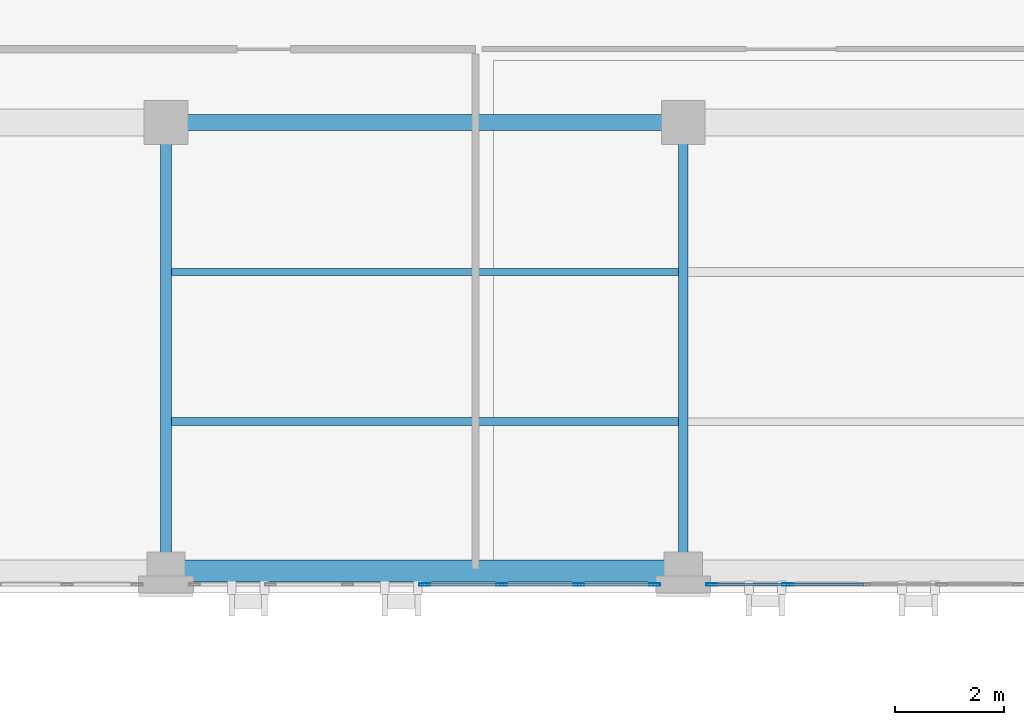
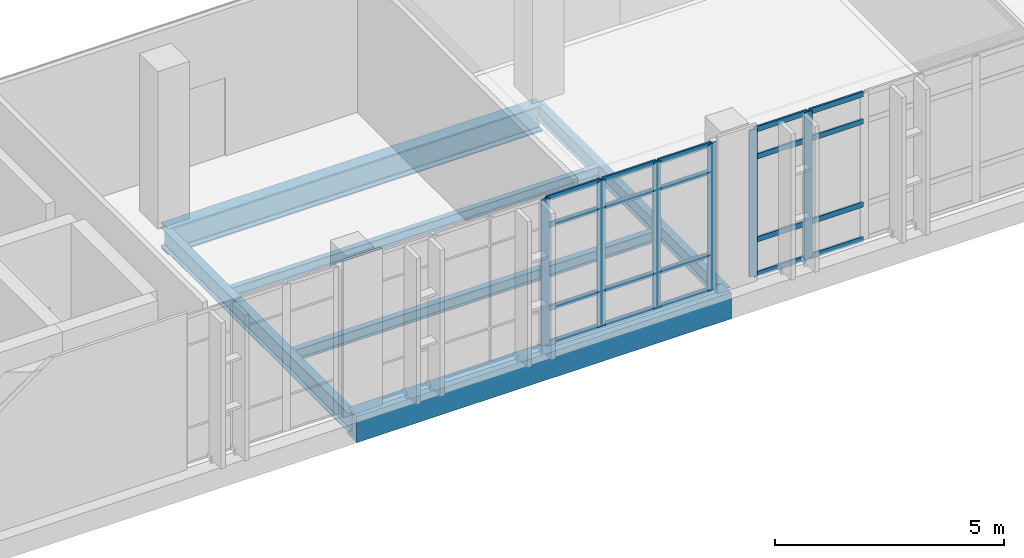
# One storey, part 12 of 193: 26 members, 6 beams, 2 elements without a shape of their own.
"""IFC4 building model written with IfcOpenShell, lengths in metres."""

import ifcopenshell
import ifcopenshell.guid

model = None  # the IFC model being written
_history = None  # IfcOwnerHistory: only IFC2X3 demands one
_inside = {}  # id of a spatial element -> (the spatial element, [elements in it])
_under = {}  # id of a project, library or spatial element -> (it, [spatial elements below it])
_declared = {}  # id of a project -> (the project, [libraries it declares])
_typed = {}  # id of a type object -> (the type object, [elements of that type])
_made_of = {}  # id of a material, layer set ... -> (it, [elements and type objects made of it])


def new_model(schema):
    """Start an empty IFC model of exactly this schema.

    Asked for "IFC4X3", IfcOpenShell would pick the latest addendum, in which some entities
    have other attributes; the version numbers below select the first issue.
    IFC2X3 requires an IfcOwnerHistory on every rooted entity: one is made here for all.
    """
    global model, _history
    if schema == "IFC4X3":
        model = ifcopenshell.file(schema_version=(4, 3, 0, 0))
    else:
        model = ifcopenshell.file(schema=schema)
    _inside.clear()
    _under.clear()
    _declared.clear()
    _typed.clear()
    _made_of.clear()
    _history = None
    if model.schema == "IFC2X3":
        org = make("IfcOrganization", Name="unknown")
        user = make(
            "IfcPersonAndOrganization",
            ThePerson=make("IfcPerson", FamilyName="unknown"),
            TheOrganization=org,
        )
        app = make(
            "IfcApplication",
            ApplicationDeveloper=org,
            Version="unknown",
            ApplicationFullName="unknown",
            ApplicationIdentifier="unknown",
        )
        _history = make(
            "IfcOwnerHistory",
            OwningUser=user,
            OwningApplication=app,
            ChangeAction="ADDED",
            CreationDate=0,
        )
    return model


def make(cls, **values):
    """One entity of the class cls with the attributes given. An attribute that is None is left unset."""
    return model.create_entity(
        cls, **{name: value for name, value in values.items() if value is not None}
    )


def rooted(cls, **values):
    """An entity with a GlobalId (a new one), such as an element, a storey or a relation."""
    return make(cls, GlobalId=ifcopenshell.guid.new(), OwnerHistory=_history, **values)


def si_unit(unit_type, name, prefix=None):
    """IfcSIUnit, for example si_unit("LENGTHUNIT", "METRE", prefix="MILLI")."""
    return make("IfcSIUnit", UnitType=unit_type, Prefix=prefix, Name=name)


def assignment(units):
    """IfcUnitAssignment: the units of a project."""
    return None if units is None else make("IfcUnitAssignment", Units=units)


def point(xyz):
    """IfcCartesianPoint."""
    return None if xyz is None else make("IfcCartesianPoint", Coordinates=xyz)


def direction(xyz):
    """IfcDirection."""
    return None if xyz is None else make("IfcDirection", DirectionRatios=xyz)


def frame(location, z_axis=None, x_axis=None):
    """IfcAxis2Placement3D, a coordinate frame: its origin and axes. An axis left out is left unset."""
    return make(
        "IfcAxis2Placement3D",
        Location=point(location),
        Axis=direction(z_axis),
        RefDirection=direction(x_axis),
    )


def frame_2d(location, x_axis=None):
    """IfcAxis2Placement2D, a coordinate frame in the plane: its origin and x axis."""
    return make(
        "IfcAxis2Placement2D", Location=point(location), RefDirection=direction(x_axis)
    )


def origin():
    """The frame at (0, 0, 0) with its axes left unset."""
    return frame((0.0, 0.0, 0.0))


def origin_2d():
    """The frame at (0, 0) in the plane with its x axis left unset."""
    return frame_2d((0.0, 0.0))


def place(relative_to, where):
    """IfcLocalPlacement: puts the frame where relative to a parent placement (None: the world)."""
    return make(
        "IfcLocalPlacement", PlacementRelTo=relative_to, RelativePlacement=where
    )


def context(
    kind, dimensions, precision=None, world=None, true_north=None, identifier=None
):
    """IfcGeometricRepresentationContext, for example the 3D "Model" context."""
    return make(
        "IfcGeometricRepresentationContext",
        ContextIdentifier=identifier,
        ContextType=kind,
        CoordinateSpaceDimension=dimensions,
        Precision=precision,
        WorldCoordinateSystem=world,
        TrueNorth=true_north,
    )


def subcontext(parent, identifier, kind, view, scale=None):
    """IfcGeometricRepresentationSubContext, for example "Body" below "Model"."""
    return make(
        "IfcGeometricRepresentationSubContext",
        ContextIdentifier=identifier,
        ContextType=kind,
        ParentContext=parent,
        TargetScale=scale,
        TargetView=view,
    )


def project(units=None, contexts=None):
    """IfcProject with its units and contexts."""
    return rooted(
        "IfcProject",
        Name="project",
        RepresentationContexts=contexts,
        UnitsInContext=assignment(units),
    )


def spatial(cls, under=None, at=None, **own):
    """A site, building, storey or space (cls), placed at a placement, below another one or the project."""
    s = rooted(cls, ObjectPlacement=at, **own)
    if under is not None:
        _under.setdefault(under.id(), (under, []))[1].append(s)
    return s


def profile(cls, at=None, kind="AREA", **sizes):
    """A parametric profile (cls). Its sizes go by their IFC names, for example OverallWidth=200.0."""
    return make(cls, ProfileType=kind, Position=at, **sizes)


def rectangle(**sizes):
    """IfcRectangleProfileDef."""
    return profile("IfcRectangleProfileDef", **sizes)


def hollow_rectangle(**sizes):
    """IfcRectangleHollowProfileDef."""
    return profile("IfcRectangleHollowProfileDef", **sizes)


def i_section(**sizes):
    """IfcIShapeProfileDef."""
    return profile("IfcIShapeProfileDef", **sizes)


def extrude(swept, where, along, depth):
    """IfcExtrudedAreaSolid: the profile swept, set in the frame where, extruded along a direction by depth."""
    return make(
        "IfcExtrudedAreaSolid",
        SweptArea=swept,
        Position=where,
        ExtrudedDirection=direction(along),
        Depth=depth,
    )


def shape(context_of_items, identifier, shape_type, items):
    """IfcShapeRepresentation: the items that make up one representation, for example the "Body"."""
    return make(
        "IfcShapeRepresentation",
        ContextOfItems=context_of_items,
        RepresentationIdentifier=identifier,
        RepresentationType=shape_type,
        Items=items,
    )


def material(Name=None, Category=None):
    """IfcMaterial."""
    return make("IfcMaterial", Name=Name, Category=Category)


def layer(
    of_material, thickness, ventilated=None, Name=None, Category=None, Priority=None
):
    """IfcMaterialLayer: one layer of a wall or slab, of a material (None: an air gap)."""
    return make(
        "IfcMaterialLayer",
        Material=of_material,
        LayerThickness=thickness,
        IsVentilated=ventilated,
        Name=Name,
        Category=Category,
        Priority=Priority,
    )


def layer_set(layers, Name=None):
    """IfcMaterialLayerSet."""
    return make("IfcMaterialLayerSet", MaterialLayers=layers, LayerSetName=Name)


def material_profile(
    of_material, cross_section, Name=None, Category=None, Priority=None
):
    """IfcMaterialProfile: a cross section and its material."""
    return make(
        "IfcMaterialProfile",
        Name=Name,
        Material=of_material,
        Profile=cross_section,
        Priority=Priority,
        Category=Category,
    )


def profile_set(profiles, Name=None, composite=None):
    """IfcMaterialProfileSet."""
    return make(
        "IfcMaterialProfileSet",
        Name=Name,
        MaterialProfiles=profiles,
        CompositeProfile=composite,
    )


def made_of(thing, what):
    """Note that an element or type object is made of a material, layer set ...; save() writes the relation."""
    if what is not None:
        _made_of.setdefault(what.id(), (what, []))[1].append(thing)
    return thing


def type_object(cls, material=None, **own):
    """A type object (cls), such as IfcWallType, which elements share."""
    return made_of(rooted(cls, **own), material)


def element(
    cls,
    number,
    at=None,
    inside=None,
    cuts=None,
    type_object=None,
    material=None,
    context=None,
    identifier="Body",
    shape_type=None,
    held_by="IfcProductDefinitionShape",
    body=None,
    shapes=None,
    **own,
):
    """One element of the class cls, such as IfcWall. Its Tag is "e" and its number.

    at: its placement. inside: the storey or other place that contains it. cuts: it is an
    opening in that element (IfcRelVoidsElement). A single representation is given by context,
    identifier, shape_type and body (its items); several are given by shapes. held_by: the class
    of the entity that holds the representations. save() writes the other relations.
    """
    e = rooted(cls, Tag="e%d" % number, ObjectPlacement=at, **own)
    if body is not None:
        shapes = [shape(context, identifier, shape_type, body)]
    if shapes is not None:
        e.Representation = make(held_by, Representations=shapes)
    if inside is not None:
        _inside.setdefault(inside.id(), (inside, []))[1].append(e)
    if cuts is not None:
        rooted(
            "IfcRelVoidsElement", RelatingBuildingElement=cuts, RelatedOpeningElement=e
        )
    if type_object is not None:
        _typed.setdefault(type_object.id(), (type_object, []))[1].append(e)
    return made_of(e, material)


def aggregate(whole, parts):
    """IfcRelAggregates: a whole, such as a stair, and the parts it consists of."""
    return rooted("IfcRelAggregates", RelatingObject=whole, RelatedObjects=parts)


def save(model, path):
    """Write the relations noted so far, then the file.

    IfcRelAggregates (storeys below a building ...), IfcRelContainedInSpatialStructure (elements
    in a storey), IfcRelDefinesByType, IfcRelAssociatesMaterial and IfcRelDeclares: one each for
    every whole, place, type object, material and project.
    """
    for whole, parts in _under.values():
        aggregate(whole, parts)
    for where, things in _inside.values():
        rooted(
            "IfcRelContainedInSpatialStructure",
            RelatedElements=things,
            RelatingStructure=where,
        )
    for kind, things in _typed.values():
        rooted("IfcRelDefinesByType", RelatedObjects=things, RelatingType=kind)
    for what, things in _made_of.values():
        rooted("IfcRelAssociatesMaterial", RelatedObjects=things, RelatingMaterial=what)
    for by, libraries in _declared.values():
        rooted("IfcRelDeclares", RelatingContext=by, RelatedDefinitions=libraries)
    model.write(path)


model = new_model("IFC4")

# Units and contexts
model_context = context("Model", 3, precision=1e-05, world=origin(), true_north=direction((0.0, 1.0)))
body_context = subcontext(model_context, "Body", "Model", "MODEL_VIEW")
ifc_project = project(units=[si_unit("LENGTHUNIT", "METRE"), si_unit("AREAUNIT", "SQUARE_METRE"), si_unit("VOLUMEUNIT", "CUBIC_METRE"), si_unit("PLANEANGLEUNIT", "RADIAN"), si_unit("MASSUNIT", "GRAM", prefix="KILO")], contexts=[model_context])

# Site, building, storey
site_placement = place(None, origin())
site = spatial("IfcSite", under=ifc_project, at=site_placement, CompositionType="ELEMENT")
building_placement = place(site_placement, origin())
building = spatial("IfcBuilding", under=site, at=building_placement, Name="Qalavern Law Courts", CompositionType="ELEMENT")
storey_placement = place(building_placement, frame((0.0, 0.0, 10.199951171875)))
storey = spatial("IfcBuildingStorey", under=building, at=storey_placement, Name="L02", CompositionType="ELEMENT", Elevation=10.199951171875)

# Curtain wall, members
ifc_material_1 = material(Name="Anodised aluminium and insulated glazing", Category="aluminium")
ifc_layer = layer(ifc_material_1, 0.18505859375)
ifc_layer_set = layer_set([ifc_layer], Name="Anodised aluminium and insulated glazing")
curtain_wall_type = type_object("IfcCurtainWallType", Name="ENV-CW-HALL", PredefinedType="USERDEFINED", material=ifc_layer_set)
curtain_wall_1_placement = place(storey_placement, origin())
curtain_wall_1 = element("IfcCurtainWall", 1, at=curtain_wall_1_placement, inside=storey, type_object=curtain_wall_type, Name="V2 unitised curtain wall L02 south 2", ObjectType="UNITISED CURTAIN WALL", PredefinedType="USERDEFINED")
ifc_material_2 = material(Name="Anodised aluminium", Category="aluminium")
ifc_material_profile_1 = material_profile(ifc_material_2, hollow_rectangle(XDim=0.048095703125, YDim=0.199951171875, WallThickness=0.00439453125, at=origin_2d()), Name="ALU MULLION 48x200")
ifc_profile_set_1 = profile_set([ifc_material_profile_1], Name="Anodised aluminium")
member_type_1 = type_object("IfcMemberType", Name="ENV-CWM-48x200", PredefinedType="MULLION", material=ifc_profile_set_1)
member_1_placement = place(storey_placement, frame((58.255859375, 5.35498046875, 0.0), z_axis=(0.0, 0.0, 1.0), x_axis=(0.0, 1.0, 0.0)))
member_1 = element("IfcMember", 2, at=member_1_placement, type_object=member_type_1, Name="CW-02 mullion 4", PredefinedType="MULLION", context=body_context, shape_type="SweptSolid", body=[
    extrude(hollow_rectangle(XDim=0.048095703125, YDim=0.199951171875, WallThickness=0.00439453125, at=origin_2d()), origin(), (0.0, 0.0, 1.0), 3.9150390625),
])
member_2_placement = place(storey_placement, frame((59.664794921875, 5.35498046875, 0.0), z_axis=(0.0, 0.0, 1.0), x_axis=(0.0, 1.0, 0.0)))
member_2 = element("IfcMember", 3, at=member_2_placement, type_object=member_type_1, Name="CW-02 mullion 5", PredefinedType="MULLION", context=body_context, shape_type="SweptSolid", body=[
    extrude(hollow_rectangle(XDim=0.048095703125, YDim=0.199951171875, WallThickness=0.00439453125, at=origin_2d()), origin(), (0.0, 0.0, 1.0), 3.9150390625),
])
member_3_placement = place(storey_placement, frame((61.07373046875, 5.35498046875, 0.0), z_axis=(0.0, 0.0, 1.0), x_axis=(0.0, 1.0, 0.0)))
member_3 = element("IfcMember", 4, at=member_3_placement, type_object=member_type_1, Name="CW-02 mullion 6", PredefinedType="MULLION", context=body_context, shape_type="SweptSolid", body=[
    extrude(hollow_rectangle(XDim=0.048095703125, YDim=0.199951171875, WallThickness=0.00439453125, at=origin_2d()), origin(), (0.0, 0.0, 1.0), 3.9150390625),
])
member_4_placement = place(storey_placement, frame((62.458984375, 5.35498046875, 0.0), z_axis=(0.0, 0.0, 1.0), x_axis=(0.0, 1.0, 0.0)))
member_4 = element("IfcMember", 5, at=member_4_placement, type_object=member_type_1, Name="CW-02 mullion 7", PredefinedType="MULLION", context=body_context, shape_type="SweptSolid", body=[
    extrude(hollow_rectangle(XDim=0.048095703125, YDim=0.199951171875, WallThickness=0.00439453125, at=origin_2d()), origin(), (0.0, 0.0, 1.0), 3.9150390625),
])

curtain_wall_2_placement = place(storey_placement, origin())
curtain_wall_2 = element("IfcCurtainWall", 6, at=curtain_wall_2_placement, inside=storey, type_object=curtain_wall_type, Name="V2 unitised curtain wall L02 south 3", ObjectType="UNITISED CURTAIN WALL", PredefinedType="USERDEFINED")
member_5_placement = place(storey_placement, frame((63.5068359375, 5.35498046875, 0.0), z_axis=(0.0, 0.0, 1.0), x_axis=(0.0, 1.0, 0.0)))
member_5 = element("IfcMember", 7, at=member_5_placement, type_object=member_type_1, Name="CW-02 mullion 1", PredefinedType="MULLION", context=body_context, shape_type="SweptSolid", body=[
    extrude(hollow_rectangle(XDim=0.048095703125, YDim=0.199951171875, WallThickness=0.00439453125, at=origin_2d()), origin(), (0.0, 0.0, 1.0), 3.9150390625),
])
member_6_placement = place(storey_placement, frame((64.891845703125, 5.35498046875, 0.0), z_axis=(0.0, 0.0, 1.0), x_axis=(0.0, 1.0, 0.0)))
member_6 = element("IfcMember", 8, at=member_6_placement, type_object=member_type_1, Name="CW-02 mullion 2", PredefinedType="MULLION", context=body_context, shape_type="SweptSolid", body=[
    extrude(hollow_rectangle(XDim=0.048095703125, YDim=0.199951171875, WallThickness=0.00439453125, at=origin_2d()), origin(), (0.0, 0.0, 1.0), 3.9150390625),
])

# Member
ifc_material_profile_2 = material_profile(ifc_material_2, hollow_rectangle(XDim=0.048095703125, YDim=0.139892578125, WallThickness=0.00390625, at=origin_2d()), Name="ALU TRANSOM 48x140")
ifc_profile_set_2 = profile_set([ifc_material_profile_2], Name="Anodised aluminium")
member_type_2 = type_object("IfcMemberType", Name="ENV-CWT-48x140", PredefinedType="USERDEFINED", material=ifc_profile_set_2)
member_7_placement = place(storey_placement, frame((58.27978515625, 5.35498046875, 0.024169921875), z_axis=(1.0, 0.0, 0.0), x_axis=(0.0, 1.0, 0.0)))
member_7 = element("IfcMember", 9, at=member_7_placement, type_object=member_type_2, Name="CW-02 transom 4.1", ObjectType="TRANSOM", PredefinedType="USERDEFINED", context=body_context, shape_type="SweptSolid", body=[
    extrude(hollow_rectangle(XDim=0.048095703125, YDim=0.139892578125, WallThickness=0.00390625, at=origin_2d()), origin(), (0.0, 0.0, 1.0), 1.361083984375),
])

member_8_placement = place(storey_placement, frame((58.27978515625, 5.35498046875, 0.949951171875), z_axis=(1.0, 0.0, 0.0), x_axis=(0.0, 1.0, 0.0)))
member_8 = element("IfcMember", 10, at=member_8_placement, type_object=member_type_2, Name="CW-02 transom 4.2", ObjectType="TRANSOM", PredefinedType="USERDEFINED", context=body_context, shape_type="SweptSolid", body=[
    extrude(hollow_rectangle(XDim=0.048095703125, YDim=0.139892578125, WallThickness=0.00390625, at=origin_2d()), origin(), (0.0, 0.0, 1.0), 1.361083984375),
])

member_9_placement = place(storey_placement, frame((58.27978515625, 5.35498046875, 3.1650390625), z_axis=(1.0, 0.0, 0.0), x_axis=(0.0, 1.0, 0.0)))
member_9 = element("IfcMember", 11, at=member_9_placement, type_object=member_type_2, Name="CW-02 transom 4.3", ObjectType="TRANSOM", PredefinedType="USERDEFINED", context=body_context, shape_type="SweptSolid", body=[
    extrude(hollow_rectangle(XDim=0.048095703125, YDim=0.139892578125, WallThickness=0.00390625, at=origin_2d()), origin(), (0.0, 0.0, 1.0), 1.361083984375),
])

member_10_placement = place(storey_placement, frame((58.27978515625, 5.35498046875, 3.89111328125), z_axis=(1.0, 0.0, 0.0), x_axis=(0.0, 1.0, 0.0)))
member_10 = element("IfcMember", 12, at=member_10_placement, type_object=member_type_2, Name="CW-02 transom 4.4", ObjectType="TRANSOM", PredefinedType="USERDEFINED", context=body_context, shape_type="SweptSolid", body=[
    extrude(hollow_rectangle(XDim=0.048095703125, YDim=0.139892578125, WallThickness=0.00390625, at=origin_2d()), origin(), (0.0, 0.0, 1.0), 1.361083984375),
])

member_11_placement = place(storey_placement, frame((59.688720703125, 5.35498046875, 0.024169921875), z_axis=(1.0, 0.0, 0.0), x_axis=(0.0, 1.0, 0.0)))
member_11 = element("IfcMember", 13, at=member_11_placement, type_object=member_type_2, Name="CW-02 transom 5.1", ObjectType="TRANSOM", PredefinedType="USERDEFINED", context=body_context, shape_type="SweptSolid", body=[
    extrude(hollow_rectangle(XDim=0.048095703125, YDim=0.139892578125, WallThickness=0.00390625, at=origin_2d()), origin(), (0.0, 0.0, 1.0), 1.361083984375),
])

member_12_placement = place(storey_placement, frame((59.688720703125, 5.35498046875, 0.949951171875), z_axis=(1.0, 0.0, 0.0), x_axis=(0.0, 1.0, 0.0)))
member_12 = element("IfcMember", 14, at=member_12_placement, type_object=member_type_2, Name="CW-02 transom 5.2", ObjectType="TRANSOM", PredefinedType="USERDEFINED", context=body_context, shape_type="SweptSolid", body=[
    extrude(hollow_rectangle(XDim=0.048095703125, YDim=0.139892578125, WallThickness=0.00390625, at=origin_2d()), origin(), (0.0, 0.0, 1.0), 1.361083984375),
])

member_13_placement = place(storey_placement, frame((59.688720703125, 5.35498046875, 3.1650390625), z_axis=(1.0, 0.0, 0.0), x_axis=(0.0, 1.0, 0.0)))
member_13 = element("IfcMember", 15, at=member_13_placement, type_object=member_type_2, Name="CW-02 transom 5.3", ObjectType="TRANSOM", PredefinedType="USERDEFINED", context=body_context, shape_type="SweptSolid", body=[
    extrude(hollow_rectangle(XDim=0.048095703125, YDim=0.139892578125, WallThickness=0.00390625, at=origin_2d()), origin(), (0.0, 0.0, 1.0), 1.361083984375),
])

member_14_placement = place(storey_placement, frame((59.688720703125, 5.35498046875, 3.89111328125), z_axis=(1.0, 0.0, 0.0), x_axis=(0.0, 1.0, 0.0)))
member_14 = element("IfcMember", 16, at=member_14_placement, type_object=member_type_2, Name="CW-02 transom 5.4", ObjectType="TRANSOM", PredefinedType="USERDEFINED", context=body_context, shape_type="SweptSolid", body=[
    extrude(hollow_rectangle(XDim=0.048095703125, YDim=0.139892578125, WallThickness=0.00390625, at=origin_2d()), origin(), (0.0, 0.0, 1.0), 1.361083984375),
])

member_15_placement = place(storey_placement, frame((61.097900390625, 5.35498046875, 0.024169921875), z_axis=(1.0, 0.0, 0.0), x_axis=(0.0, 1.0, 0.0)))
member_15 = element("IfcMember", 17, at=member_15_placement, type_object=member_type_2, Name="CW-02 transom 6.1", ObjectType="TRANSOM", PredefinedType="USERDEFINED", context=body_context, shape_type="SweptSolid", body=[
    extrude(hollow_rectangle(XDim=0.048095703125, YDim=0.139892578125, WallThickness=0.00390625, at=origin_2d()), origin(), (0.0, 0.0, 1.0), 1.3369140625),
])

member_16_placement = place(storey_placement, frame((61.097900390625, 5.35498046875, 0.949951171875), z_axis=(1.0, 0.0, 0.0), x_axis=(0.0, 1.0, 0.0)))
member_16 = element("IfcMember", 18, at=member_16_placement, type_object=member_type_2, Name="CW-02 transom 6.2", ObjectType="TRANSOM", PredefinedType="USERDEFINED", context=body_context, shape_type="SweptSolid", body=[
    extrude(hollow_rectangle(XDim=0.048095703125, YDim=0.139892578125, WallThickness=0.00390625, at=origin_2d()), origin(), (0.0, 0.0, 1.0), 1.3369140625),
])

member_17_placement = place(storey_placement, frame((61.097900390625, 5.35498046875, 3.1650390625), z_axis=(1.0, 0.0, 0.0), x_axis=(0.0, 1.0, 0.0)))
member_17 = element("IfcMember", 19, at=member_17_placement, type_object=member_type_2, Name="CW-02 transom 6.3", ObjectType="TRANSOM", PredefinedType="USERDEFINED", context=body_context, shape_type="SweptSolid", body=[
    extrude(hollow_rectangle(XDim=0.048095703125, YDim=0.139892578125, WallThickness=0.00390625, at=origin_2d()), origin(), (0.0, 0.0, 1.0), 1.3369140625),
])

member_18_placement = place(storey_placement, frame((61.097900390625, 5.35498046875, 3.89111328125), z_axis=(1.0, 0.0, 0.0), x_axis=(0.0, 1.0, 0.0)))
member_18 = element("IfcMember", 20, at=member_18_placement, type_object=member_type_2, Name="CW-02 transom 6.4", ObjectType="TRANSOM", PredefinedType="USERDEFINED", context=body_context, shape_type="SweptSolid", body=[
    extrude(hollow_rectangle(XDim=0.048095703125, YDim=0.139892578125, WallThickness=0.00390625, at=origin_2d()), origin(), (0.0, 0.0, 1.0), 1.3369140625),
])

aggregate(curtain_wall_1, [member_1, member_2, member_3, member_4, member_7, member_8, member_9, member_10, member_11, member_12, member_13, member_14, member_15, member_16, member_17, member_18])

member_19_placement = place(storey_placement, frame((63.531005859375, 5.35498046875, 0.024169921875), z_axis=(1.0, 0.0, 0.0), x_axis=(0.0, 1.0, 0.0)))
member_19 = element("IfcMember", 21, at=member_19_placement, type_object=member_type_2, Name="CW-02 transom 1.1", ObjectType="TRANSOM", PredefinedType="USERDEFINED", context=body_context, shape_type="SweptSolid", body=[
    extrude(hollow_rectangle(XDim=0.048095703125, YDim=0.139892578125, WallThickness=0.00390625, at=origin_2d()), origin(), (0.0, 0.0, 1.0), 1.3369140625),
])

member_20_placement = place(storey_placement, frame((63.531005859375, 5.35498046875, 0.949951171875), z_axis=(1.0, 0.0, 0.0), x_axis=(0.0, 1.0, 0.0)))
member_20 = element("IfcMember", 22, at=member_20_placement, type_object=member_type_2, Name="CW-02 transom 1.2", ObjectType="TRANSOM", PredefinedType="USERDEFINED", context=body_context, shape_type="SweptSolid", body=[
    extrude(hollow_rectangle(XDim=0.048095703125, YDim=0.139892578125, WallThickness=0.00390625, at=origin_2d()), origin(), (0.0, 0.0, 1.0), 1.3369140625),
])

member_21_placement = place(storey_placement, frame((63.531005859375, 5.35498046875, 3.1650390625), z_axis=(1.0, 0.0, 0.0), x_axis=(0.0, 1.0, 0.0)))
member_21 = element("IfcMember", 23, at=member_21_placement, type_object=member_type_2, Name="CW-02 transom 1.3", ObjectType="TRANSOM", PredefinedType="USERDEFINED", context=body_context, shape_type="SweptSolid", body=[
    extrude(hollow_rectangle(XDim=0.048095703125, YDim=0.139892578125, WallThickness=0.00390625, at=origin_2d()), origin(), (0.0, 0.0, 1.0), 1.3369140625),
])

member_22_placement = place(storey_placement, frame((63.531005859375, 5.35498046875, 3.89111328125), z_axis=(1.0, 0.0, 0.0), x_axis=(0.0, 1.0, 0.0)))
member_22 = element("IfcMember", 24, at=member_22_placement, type_object=member_type_2, Name="CW-02 transom 1.4", ObjectType="TRANSOM", PredefinedType="USERDEFINED", context=body_context, shape_type="SweptSolid", body=[
    extrude(hollow_rectangle(XDim=0.048095703125, YDim=0.139892578125, WallThickness=0.00390625, at=origin_2d()), origin(), (0.0, 0.0, 1.0), 1.3369140625),
])

member_23_placement = place(storey_placement, frame((64.916015625, 5.35498046875, 0.024169921875), z_axis=(1.0, 0.0, 0.0), x_axis=(0.0, 1.0, 0.0)))
member_23 = element("IfcMember", 25, at=member_23_placement, type_object=member_type_2, Name="CW-02 transom 2.1", ObjectType="TRANSOM", PredefinedType="USERDEFINED", context=body_context, shape_type="SweptSolid", body=[
    extrude(hollow_rectangle(XDim=0.048095703125, YDim=0.139892578125, WallThickness=0.00390625, at=origin_2d()), origin(), (0.0, 0.0, 1.0), 1.36083984375),
])

member_24_placement = place(storey_placement, frame((64.916015625, 5.35498046875, 0.949951171875), z_axis=(1.0, 0.0, 0.0), x_axis=(0.0, 1.0, 0.0)))
member_24 = element("IfcMember", 26, at=member_24_placement, type_object=member_type_2, Name="CW-02 transom 2.2", ObjectType="TRANSOM", PredefinedType="USERDEFINED", context=body_context, shape_type="SweptSolid", body=[
    extrude(hollow_rectangle(XDim=0.048095703125, YDim=0.139892578125, WallThickness=0.00390625, at=origin_2d()), origin(), (0.0, 0.0, 1.0), 1.36083984375),
])

member_25_placement = place(storey_placement, frame((64.916015625, 5.35498046875, 3.1650390625), z_axis=(1.0, 0.0, 0.0), x_axis=(0.0, 1.0, 0.0)))
member_25 = element("IfcMember", 27, at=member_25_placement, type_object=member_type_2, Name="CW-02 transom 2.3", ObjectType="TRANSOM", PredefinedType="USERDEFINED", context=body_context, shape_type="SweptSolid", body=[
    extrude(hollow_rectangle(XDim=0.048095703125, YDim=0.139892578125, WallThickness=0.00390625, at=origin_2d()), origin(), (0.0, 0.0, 1.0), 1.36083984375),
])

member_26_placement = place(storey_placement, frame((64.916015625, 5.35498046875, 3.89111328125), z_axis=(1.0, 0.0, 0.0), x_axis=(0.0, 1.0, 0.0)))
member_26 = element("IfcMember", 28, at=member_26_placement, type_object=member_type_2, Name="CW-02 transom 2.4", ObjectType="TRANSOM", PredefinedType="USERDEFINED", context=body_context, shape_type="SweptSolid", body=[
    extrude(hollow_rectangle(XDim=0.048095703125, YDim=0.139892578125, WallThickness=0.00390625, at=origin_2d()), origin(), (0.0, 0.0, 1.0), 1.36083984375),
])

aggregate(curtain_wall_2, [member_5, member_6, member_19, member_20, member_21, member_22, member_23, member_24, member_25, member_26])

# Beams
ifc_material_3 = material(Name="Steel S355", Category="steel")
ifc_material_profile_3 = material_profile(ifc_material_3, i_section(OverallWidth=0.300048828125, OverallDepth=0.699951171875, WebThickness=0.01708984375, FlangeThickness=0.031982421875, FilletRadius=0.027099609375, at=origin_2d()), Name="HEB 700")
ifc_profile_set_3 = profile_set([ifc_material_profile_3], Name="Steel S355")
beam_type_1 = type_object("IfcBeamType", Name="STR-BM-HEB700", PredefinedType="BEAM", material=ifc_profile_set_3)
beam_1_placement = place(storey_placement, frame((53.528564453125, 13.800048828125, -0.639892578125), z_axis=(1.0, 0.0, 0.0), x_axis=(0.0, 1.0, 0.0)))
element("IfcBeam", 29, at=beam_1_placement, inside=storey, type_object=beam_type_1, Name="V2 X-beam 2-3 L02", PredefinedType="BEAM", context=body_context, shape_type="SweptSolid", body=[
    extrude(i_section(OverallWidth=0.300048828125, OverallDepth=0.699951171875, WebThickness=0.01708984375, FlangeThickness=0.031982421875, FilletRadius=0.027099609375, at=origin_2d()), origin(), (0.0, 0.0, 1.0), 9.454345703125),
])
ifc_material_profile_4 = material_profile(ifc_material_3, i_section(OverallWidth=0.179931640625, OverallDepth=0.39990234375, WebThickness=0.008544921875, FlangeThickness=0.013427734375, FilletRadius=0.02099609375, at=origin_2d()), Name="IPE 400")
ifc_profile_set_4 = profile_set([ifc_material_profile_4], Name="Steel S355")
beam_type_2 = type_object("IfcBeamType", Name="STR-BM-IPE400", PredefinedType="BEAM", material=ifc_profile_set_4)
beam_2_placement = place(storey_placement, frame((62.98291015625, 5.60009765625, -0.489990234375), z_axis=(0.0, 1.0, 0.0), x_axis=(-1.0, 0.0, 0.0)))
element("IfcBeam", 30, at=beam_2_placement, inside=storey, type_object=beam_type_2, Name="V2 Y-beam 4-1 L02", PredefinedType="BEAM", context=body_context, shape_type="SweptSolid", body=[
    extrude(i_section(OverallWidth=0.179931640625, OverallDepth=0.39990234375, WebThickness=0.008544921875, FlangeThickness=0.013427734375, FilletRadius=0.02099609375, at=origin_2d()), origin(), (0.0, 0.0, 1.0), 8.199951171875),
])
ifc_material_profile_5 = material_profile(ifc_material_3, i_section(OverallWidth=0.199951171875, OverallDepth=0.5, WebThickness=0.01025390625, FlangeThickness=0.01611328125, FilletRadius=0.02099609375, at=origin_2d()), Name="IPE 500")
ifc_profile_set_5 = profile_set([ifc_material_profile_5], Name="Steel S355")
beam_type_3 = type_object("IfcBeamType", Name="STR-BM-IPE500", PredefinedType="BEAM", material=ifc_profile_set_5)
beam_3_placement = place(storey_placement, frame((53.528564453125, 5.60009765625, -0.5400390625), z_axis=(0.0, 1.0, 0.0), x_axis=(-1.0, 0.0, 0.0)))
element("IfcBeam", 31, at=beam_3_placement, inside=storey, type_object=beam_type_3, Name="V2 Y-beam 3-1 L02", PredefinedType="BEAM", context=body_context, shape_type="SweptSolid", body=[
    extrude(i_section(OverallWidth=0.199951171875, OverallDepth=0.5, WebThickness=0.01025390625, FlangeThickness=0.01611328125, FilletRadius=0.02099609375, at=origin_2d()), origin(), (0.0, 0.0, 1.0), 8.199951171875),
])
ifc_material_profile_6 = material_profile(ifc_material_3, i_section(OverallWidth=0.135009765625, OverallDepth=0.27001953125, WebThickness=0.006591796875, FlangeThickness=0.01025390625, FilletRadius=0.014892578125, at=origin_2d()), Name="IPE 270")
ifc_profile_set_6 = profile_set([ifc_material_profile_6], Name="Steel S355")
beam_type_4 = type_object("IfcBeamType", Name="STR-JST-IPE270", PredefinedType="JOIST", material=ifc_profile_set_6)
beam_4_placement = place(storey_placement, frame((53.626708984375, 11.066650390625, -0.425048828125), z_axis=(1.0, 0.0, 0.0), x_axis=(0.0, 1.0, 0.0)))
element("IfcBeam", 32, at=beam_4_placement, inside=storey, type_object=beam_type_4, Name="V2 secondary joist 3.1.2 L02", PredefinedType="JOIST", context=body_context, shape_type="SweptSolid", body=[
    extrude(i_section(OverallWidth=0.135009765625, OverallDepth=0.27001953125, WebThickness=0.006591796875, FlangeThickness=0.01025390625, FilletRadius=0.014892578125, at=origin_2d()), origin(), (0.0, 0.0, 1.0), 9.268310546875),
])
ifc_material_profile_7 = material_profile(ifc_material_3, i_section(OverallWidth=0.14990234375, OverallDepth=0.300048828125, WebThickness=0.007080078125, FlangeThickness=0.0107421875, FilletRadius=0.014892578125, at=origin_2d()), Name="IPE 300")
ifc_profile_set_7 = profile_set([ifc_material_profile_7], Name="Steel S355")
beam_type_5 = type_object("IfcBeamType", Name="STR-JST-IPE300", PredefinedType="JOIST", material=ifc_profile_set_7)
beam_5_placement = place(storey_placement, frame((53.626708984375, 8.333251953125, -0.43994140625), z_axis=(1.0, 0.0, 0.0), x_axis=(0.0, 1.0, 0.0)))
element("IfcBeam", 33, at=beam_5_placement, inside=storey, type_object=beam_type_5, Name="V2 secondary joist 3.1.1 L02", PredefinedType="JOIST", context=body_context, shape_type="SweptSolid", body=[
    extrude(i_section(OverallWidth=0.14990234375, OverallDepth=0.300048828125, WebThickness=0.007080078125, FlangeThickness=0.0107421875, FilletRadius=0.014892578125, at=origin_2d()), origin(), (0.0, 0.0, 1.0), 9.268310546875),
])
ifc_material_4 = material(Name="Concrete C40/50", Category="concrete")
ifc_material_profile_8 = material_profile(ifc_material_4, rectangle(XDim=0.39990234375, YDim=0.699951171875, at=origin_2d()), Name="RC 400x700")
ifc_profile_set_8 = profile_set([ifc_material_profile_8], Name="Concrete C40/50")
beam_type_6 = type_object("IfcBeamType", Name="STR-SP-RC400x700", PredefinedType="SPANDREL", material=ifc_profile_set_8)
beam_6_placement = place(storey_placement, frame((53.528564453125, 5.60009765625, -0.639892578125), z_axis=(1.0, 0.0, 0.0), x_axis=(0.0, 1.0, 0.0)))
element("IfcBeam", 34, at=beam_6_placement, inside=storey, type_object=beam_type_6, Name="V2 X-beam 1-3 L02", PredefinedType="SPANDREL", context=body_context, shape_type="SweptSolid", body=[
    extrude(rectangle(XDim=0.39990234375, YDim=0.699951171875, at=origin_2d()), origin(), (0.0, 0.0, 1.0), 9.454345703125),
])

save(model, "model.ifc")
